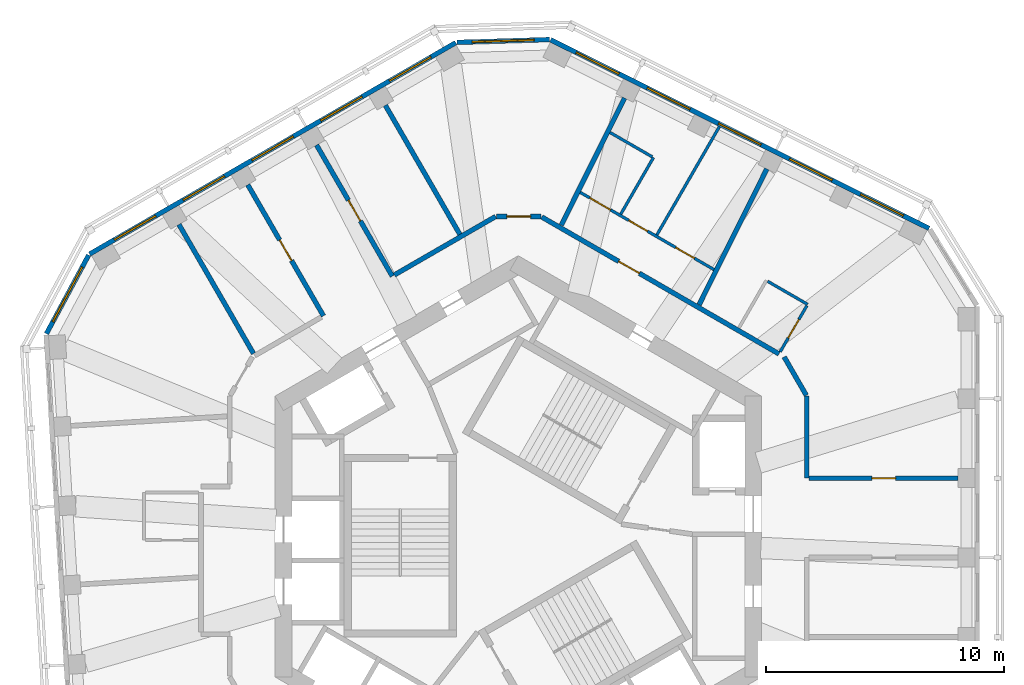
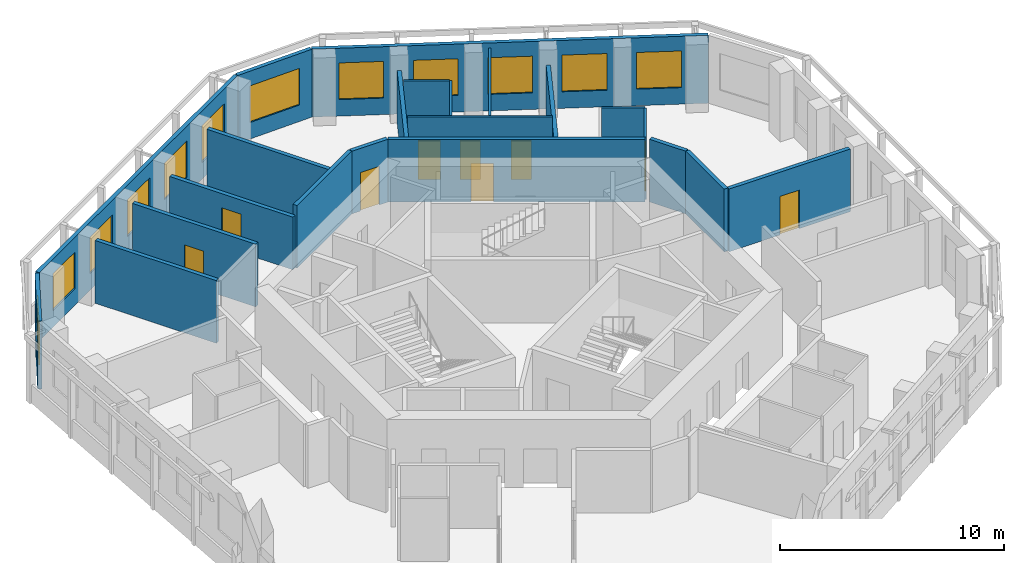
# One storey, part 7 of 11: 22 walls, 12 windows, 9 doors, 21 openings.
"""IFC4 building model written with IfcOpenShell, lengths in metres."""

from ifc_helpers import new_model, si_unit, direction, frame, frame_2d, origin, place, context, subcontext, project, spatial, rectangle, extrude, material, layer, layer_set, type_object, element, fill, save


model = new_model("IFC4")

# Units and contexts
model_context = context("Model", 3, precision=1e-05, world=origin(), true_north=direction((0.0, 1.0)))
body_context = subcontext(model_context, "Body", "Model", "MODEL_VIEW")
ifc_project = project(units=[si_unit("LENGTHUNIT", "METRE"), si_unit("AREAUNIT", "SQUARE_METRE"), si_unit("VOLUMEUNIT", "CUBIC_METRE"), si_unit("PLANEANGLEUNIT", "RADIAN"), si_unit("MASSUNIT", "GRAM", prefix="KILO")], contexts=[model_context])

# Site, building, storey
site_placement = place(None, origin())
site = spatial("IfcSite", under=ifc_project, at=site_placement, CompositionType="ELEMENT")
building_placement = place(site_placement, origin())
building = spatial("IfcBuilding", under=site, at=building_placement, Name="Vanh Sen Convention Tower", CompositionType="ELEMENT")
storey_placement = place(building_placement, frame((0.0, 0.0, 289.39990234375)))
storey = spatial("IfcBuildingStorey", under=building, at=storey_placement, Name="L71", CompositionType="ELEMENT", Elevation=289.39990234375)

# Walls
ifc_material_1 = material(Name="Moisture-resistant gypsum board on steel studs", Category="steel")
ifc_layer_1 = layer(ifc_material_1, 0.1201171875)
ifc_layer_set_1 = layer_set([ifc_layer_1], Name="Moisture-resistant gypsum board on steel studs")
wall_type_1 = type_object("IfcWallType", Name="Bathroom partition 120", PredefinedType="PARTITIONING", material=ifc_layer_set_1)
wall_1_placement = place(storey_placement, frame((4.298828125, 13.522216796875, 0.0), z_axis=(0.0, 0.0, 1.0), x_axis=(0.499982138324, 0.866035715982, 0.0)))
element("IfcWall", 1, at=wall_1_placement, inside=storey, type_object=wall_type_1, Name="Bathroom partition 120", PredefinedType="PARTITIONING", context=body_context, shape_type="SweptSolid", body=[
    extrude(rectangle(XDim=2.73974609375, YDim=0.1201171875, at=frame_2d((1.369873046875, 0.0))), origin(), (0.0, 0.0, 1.0), 3.420166015625),
])
wall_2_placement = place(storey_placement, frame((5.61669921875, 15.925048828125, 0.0), z_axis=(0.0, 0.0, 1.0), x_axis=(-0.866010195725, 0.500026340207, 0.0)))
element("IfcWall", 2, at=wall_2_placement, inside=storey, type_object=wall_type_1, Name="Bathroom partition 120", PredefinedType="PARTITIONING", context=body_context, shape_type="SweptSolid", body=[
    extrude(rectangle(XDim=2.0400390625, YDim=0.1201171875, at=frame_2d((1.02001953125, 0.0))), origin(), (0.0, 0.0, 1.0), 3.420166015625),
])

# Wall, openings, doors
wall_3_placement = place(storey_placement, frame((8.20654296875, 11.19677734375, 0.0), z_axis=(0.0, 0.0, 1.0), x_axis=(-0.866030514021, 0.499991148707, 0.0)))
wall_3 = element("IfcWall", 3, at=wall_3_placement, inside=storey, type_object=wall_type_1, Name="Bathroom partition 120", PredefinedType="PARTITIONING", context=body_context, shape_type="SweptSolid", body=[
    extrude(rectangle(XDim=6.4755859375, YDim=0.1201171875, at=frame_2d((3.23779296875, 0.0))), origin(), (0.0, 0.0, 1.0), 3.420166015625),
])
opening_1_placement = place(wall_3_placement, frame((5.01123046875, 0.0, 0.0)))
opening_1 = element("IfcOpeningElement", 4, at=opening_1_placement, cuts=wall_3, Name="Opening D70104", PredefinedType="OPENING", context=body_context, shape_type="SweptSolid", body=[
    extrude(rectangle(XDim=1.0, YDim=2.10009765625, at=frame_2d((0.5, 1.050048828125))), frame((0.0, 0.070068359375, 0.0), z_axis=(0.0, -1.0, 0.0), x_axis=(1.0, 0.0, 0.0)), (0.0, 0.0, 1.0), 0.14013671875),
])
opening_2_placement = place(wall_3_placement, frame((0.949951171875, 0.0, 0.0)))
opening_2 = element("IfcOpeningElement", 5, at=opening_2_placement, cuts=wall_3, Name="Opening D70105", PredefinedType="OPENING", context=body_context, shape_type="SweptSolid", body=[
    extrude(rectangle(XDim=0.89990234375, YDim=2.10009765625, at=frame_2d((0.449951171875, 1.050048828125))), frame((0.0, 0.070068359375, 0.0), z_axis=(0.0, -1.0, 0.0), x_axis=(1.0, 0.0, 0.0)), (0.0, 0.0, 1.0), 0.14013671875),
])
opening_3_placement = place(wall_3_placement, frame((3.223388671875, 0.0, 0.0)))
opening_3 = element("IfcOpeningElement", 6, at=opening_3_placement, cuts=wall_3, Name="Opening D70106", PredefinedType="OPENING", context=body_context, shape_type="SweptSolid", body=[
    extrude(rectangle(XDim=0.89990234375, YDim=2.10009765625, at=frame_2d((0.449951171875, 1.050048828125))), frame((0.0, 0.070068359375, 0.0), z_axis=(0.0, -1.0, 0.0), x_axis=(1.0, 0.0, 0.0)), (0.0, 0.0, 1.0), 0.14013671875),
])
ifc_material_2 = material(Name="Laminate door in steel frame", Category="steel")
door_type_1 = type_object("IfcDoorType", Name="Accessible WC door 1000", OperationType="SINGLE_SWING_LEFT", PredefinedType="DOOR", material=ifc_material_2)
door_1_placement = place(opening_1_placement, origin())
door_1 = element("IfcDoor", 7, at=door_1_placement, inside=storey, type_object=door_type_1, Name="Accessible WC door D70104", OperationType="SINGLE_SWING_LEFT", OverallHeight=2.10009765625, OverallWidth=1.0, PredefinedType="DOOR", context=body_context, shape_type="SweptSolid", body=[
    extrude(rectangle(XDim=1.0, YDim=2.10009765625, at=frame_2d((0.5, 1.050048828125))), frame((0.0, 0.02490234375, 0.0), z_axis=(0.0, -1.0, 0.0), x_axis=(1.0, 0.0, 0.0)), (0.0, 0.0, 1.0), 0.050048828125),
])
fill(opening_1, door_1)
door_type_2 = type_object("IfcDoorType", Name="Room internal door 900", OperationType="SINGLE_SWING_LEFT", PredefinedType="DOOR", material=ifc_material_2)
door_2_placement = place(opening_2_placement, origin())
door_2 = element("IfcDoor", 8, at=door_2_placement, inside=storey, type_object=door_type_2, Name="Internal room door D70105", OperationType="SINGLE_SWING_LEFT", OverallHeight=2.10009765625, OverallWidth=0.89990234375, PredefinedType="DOOR", context=body_context, shape_type="SweptSolid", body=[
    extrude(rectangle(XDim=0.89990234375, YDim=2.10009765625, at=frame_2d((0.449951171875, 1.050048828125))), frame((0.0, 0.02490234375, 0.0), z_axis=(0.0, -1.0, 0.0), x_axis=(1.0, 0.0, 0.0)), (0.0, 0.0, 1.0), 0.050048828125),
])
fill(opening_2, door_2)
door_3_placement = place(opening_3_placement, origin())
door_3 = element("IfcDoor", 9, at=door_3_placement, inside=storey, type_object=door_type_2, Name="Internal room door D70106", OperationType="SINGLE_SWING_LEFT", OverallHeight=2.10009765625, OverallWidth=0.89990234375, PredefinedType="DOOR", context=body_context, shape_type="SweptSolid", body=[
    extrude(rectangle(XDim=0.89990234375, YDim=2.10009765625, at=frame_2d((0.449951171875, 1.050048828125))), frame((0.0, 0.02490234375, 0.0), z_axis=(0.0, -1.0, 0.0), x_axis=(1.0, 0.0, 0.0)), (0.0, 0.0, 1.0), 0.050048828125),
])
fill(opening_3, door_3)

# Walls
wall_4_placement = place(storey_placement, frame((8.434814453125, 17.192138671875, 0.0), z_axis=(0.0, 0.0, 1.0), x_axis=(-0.499982949935, -0.86603524742, 0.0)))
element("IfcWall", 10, at=wall_4_placement, inside=storey, type_object=wall_type_1, Name="Bathroom partition 120", PredefinedType="PARTITIONING", context=body_context, shape_type="SweptSolid", body=[
    extrude(rectangle(XDim=5.246337890625, YDim=0.1201171875, at=frame_2d((2.623046875, 0.0))), origin(), (0.0, 0.0, 1.0), 3.420166015625),
])
wall_5_placement = place(storey_placement, frame((10.453369140625, 10.7080078125, 0.0), z_axis=(0.0, 0.0, 1.0), x_axis=(0.865988597889, -0.500063744262, 0.0)))
element("IfcWall", 11, at=wall_5_placement, inside=storey, type_object=wall_type_1, Name="Bathroom partition 120", PredefinedType="PARTITIONING", context=body_context, shape_type="SweptSolid", body=[
    extrude(rectangle(XDim=1.940185546875, YDim=0.1201171875, at=frame_2d((0.97021484375, 0.0))), origin(), (0.0, 0.0, 1.0), 3.420166015625),
])

# Wall, opening, door
wall_6_placement = place(storey_placement, frame((12.103515625, 9.685791015625, 0.0), z_axis=(0.0, 0.0, 1.0), x_axis=(-0.500077830873, -0.865980463445, 0.0)))
wall_6 = element("IfcWall", 12, at=wall_6_placement, inside=storey, type_object=wall_type_1, Name="Bathroom partition 120", PredefinedType="PARTITIONING", context=body_context, shape_type="SweptSolid", body=[
    extrude(rectangle(XDim=2.239990234375, YDim=0.1201171875, at=frame_2d((1.1201171875, 0.0))), origin(), (0.0, 0.0, 1.0), 3.420166015625),
])
opening_4_placement = place(wall_6_placement, frame((0.669921875, 0.0, 0.0)))
opening_4 = element("IfcOpeningElement", 13, at=opening_4_placement, cuts=wall_6, Name="Opening D70102", PredefinedType="OPENING", context=body_context, shape_type="SweptSolid", body=[
    extrude(rectangle(XDim=0.89990234375, YDim=2.10009765625, at=frame_2d((0.449951171875, 1.050048828125))), frame((0.0, 0.070068359375, 0.0), z_axis=(0.0, -1.0, 0.0), x_axis=(1.0, 0.0, 0.0)), (0.0, 0.0, 1.0), 0.14013671875),
])
door_4_placement = place(opening_4_placement, origin())
door_4 = element("IfcDoor", 14, at=door_4_placement, inside=storey, type_object=door_type_2, Name="Internal room door D70102", OperationType="SINGLE_SWING_LEFT", OverallHeight=2.10009765625, OverallWidth=0.89990234375, PredefinedType="DOOR", context=body_context, shape_type="SweptSolid", body=[
    extrude(rectangle(XDim=0.89990234375, YDim=2.10009765625, at=frame_2d((0.449951171875, 1.050048828125))), frame((0.0, 0.02490234375, 0.0), z_axis=(0.0, -1.0, 0.0), x_axis=(1.0, 0.0, 0.0)), (0.0, 0.0, 1.0), 0.050048828125),
])
fill(opening_4, door_4)

ifc_material_3 = material(Name="Gypsum board on steel studs with mineral wool", Category="steel")
ifc_layer_2 = layer(ifc_material_3, 0.199951171875)
ifc_layer_set_2 = layer_set([ifc_layer_2], Name="Gypsum board on steel studs with mineral wool")
wall_type_2 = type_object("IfcWallType", Name="Corridor partition wall 200", PredefinedType="PARTITIONING", material=ifc_layer_set_2)
wall_7_placement = place(storey_placement, frame((-11.34521484375, 14.754150390625, 0.0), z_axis=(0.0, 0.0, 1.0), x_axis=(0.500005339912, -0.866022320763, 0.0)))
wall_7 = element("IfcWall", 15, at=wall_7_placement, inside=storey, type_object=wall_type_2, Name="Corridor partition wall 200", PredefinedType="PARTITIONING", context=body_context, shape_type="SweptSolid", body=[
    extrude(rectangle(XDim=6.35009765625, YDim=0.199951171875, at=frame_2d((3.175048828125, 0.0))), origin(), (0.0, 0.0, 1.0), 3.420166015625),
])
opening_5_placement = place(wall_7_placement, frame((2.675048828125, 0.0, 0.0)))
opening_5 = element("IfcOpeningElement", 16, at=opening_5_placement, cuts=wall_7, Name="Opening D70109", PredefinedType="OPENING", context=body_context, shape_type="SweptSolid", body=[
    extrude(rectangle(XDim=1.0, YDim=2.10009765625, at=frame_2d((0.5, 1.050048828125))), frame((0.0, 0.10986328125, 0.0), z_axis=(0.0, -1.0, 0.0), x_axis=(1.0, 0.0, 0.0)), (0.0, 0.0, 1.0), 0.219970703125),
])
ifc_material_4 = material(Name="Glazed fire door in steel frame", Category="steel")
door_type_3 = type_object("IfcDoorType", Name="Tenant entrance door 1000", OperationType="SINGLE_SWING_LEFT", PredefinedType="DOOR", material=ifc_material_4)
door_5_placement = place(opening_5_placement, origin())
door_5 = element("IfcDoor", 17, at=door_5_placement, inside=storey, type_object=door_type_3, Name="Tenant suite entrance door D70109", OperationType="SINGLE_SWING_LEFT", OverallHeight=2.10009765625, OverallWidth=1.0, PredefinedType="DOOR", context=body_context, shape_type="SweptSolid", body=[
    extrude(rectangle(XDim=1.0, YDim=2.10009765625, at=frame_2d((0.5, 1.050048828125))), frame((0.0, 0.02490234375, 0.0), z_axis=(0.0, -1.0, 0.0), x_axis=(1.0, 0.0, 0.0)), (0.0, 0.0, 1.0), 0.050048828125),
])
fill(opening_5, door_5)

wall_8_placement = place(storey_placement, frame((-8.4599609375, 16.419921875, 0.0), z_axis=(0.0, 0.0, 1.0), x_axis=(0.500005339912, -0.866022320763, 0.0)))
wall_8 = element("IfcWall", 18, at=wall_8_placement, inside=storey, type_object=wall_type_2, Name="Corridor partition wall 200", PredefinedType="PARTITIONING", context=body_context, shape_type="SweptSolid", body=[
    extrude(rectangle(XDim=6.35009765625, YDim=0.199951171875, at=frame_2d((3.175048828125, 0.0))), origin(), (0.0, 0.0, 1.0), 2.8701171875),
])
opening_6_placement = place(wall_8_placement, frame((2.675048828125, 0.0, 0.0)))
opening_6 = element("IfcOpeningElement", 19, at=opening_6_placement, cuts=wall_8, Name="Opening D70108", PredefinedType="OPENING", context=body_context, shape_type="SweptSolid", body=[
    extrude(rectangle(XDim=1.0, YDim=2.10009765625, at=frame_2d((0.5, 1.050048828125))), frame((0.0, 0.10986328125, 0.0), z_axis=(0.0, -1.0, 0.0), x_axis=(1.0, 0.0, 0.0)), (0.0, 0.0, 1.0), 0.219970703125),
])
door_6_placement = place(opening_6_placement, origin())
door_6 = element("IfcDoor", 20, at=door_6_placement, inside=storey, type_object=door_type_3, Name="Tenant suite entrance door D70108", OperationType="SINGLE_SWING_LEFT", OverallHeight=2.10009765625, OverallWidth=1.0, PredefinedType="DOOR", context=body_context, shape_type="SweptSolid", body=[
    extrude(rectangle(XDim=1.0, YDim=2.10009765625, at=frame_2d((0.5, 1.050048828125))), frame((0.0, 0.02490234375, 0.0), z_axis=(0.0, -1.0, 0.0), x_axis=(1.0, 0.0, 0.0)), (0.0, 0.0, 1.0), 0.050048828125),
])
fill(opening_6, door_6)

# Wall
wall_9_placement = place(storey_placement, frame((-0.949951171875, 13.42333984375, 0.0), z_axis=(0.0, 0.0, 1.0), x_axis=(-0.86603557629, -0.499982380289, 0.0)))
element("IfcWall", 21, at=wall_9_placement, inside=storey, type_object=wall_type_2, Name="Corridor partition wall 200", PredefinedType="PARTITIONING", context=body_context, shape_type="SweptSolid", body=[
    extrude(rectangle(XDim=4.905517578125, YDim=0.199951171875, at=frame_2d((2.45263671875, 0.0))), origin(), (0.0, 0.0, 1.0), 3.420166015625),
])

# Wall, opening, door
wall_10_placement = place(storey_placement, frame((0.949951171875, 13.42333984375, 0.0), z_axis=(0.0, 0.0, 1.0), x_axis=(-1.0, 0.0, 0.0)))
wall_10 = element("IfcWall", 22, at=wall_10_placement, inside=storey, type_object=wall_type_2, Name="Corridor partition wall 200", PredefinedType="PARTITIONING", context=body_context, shape_type="SweptSolid", body=[
    extrude(rectangle(XDim=1.85986328125, YDim=0.199951171875, at=frame_2d((0.929931640625, 0.0))), origin(), (0.0, 0.0, 1.0), 3.420166015625),
])
opening_7_placement = place(wall_10_placement, frame((0.429931640625, 0.0, 0.0)))
opening_7 = element("IfcOpeningElement", 23, at=opening_7_placement, cuts=wall_10, Name="Opening D70107", PredefinedType="OPENING", context=body_context, shape_type="SweptSolid", body=[
    extrude(rectangle(XDim=1.0, YDim=2.10009765625, at=frame_2d((0.5, 1.050048828125))), frame((0.0, 0.10986328125, 0.0), z_axis=(0.0, -1.0, 0.0), x_axis=(1.0, 0.0, 0.0)), (0.0, 0.0, 1.0), 0.219970703125),
])
door_7_placement = place(opening_7_placement, origin())
door_7 = element("IfcDoor", 24, at=door_7_placement, inside=storey, type_object=door_type_3, Name="Tenant suite entrance door D70107", OperationType="SINGLE_SWING_LEFT", OverallHeight=2.10009765625, OverallWidth=1.0, PredefinedType="DOOR", context=body_context, shape_type="SweptSolid", body=[
    extrude(rectangle(XDim=1.0, YDim=2.10009765625, at=frame_2d((0.5, 1.050048828125))), frame((0.0, 0.02490234375, 0.0), z_axis=(0.0, -1.0, 0.0), x_axis=(1.0, 0.0, 0.0)), (0.0, 0.0, 1.0), 0.050048828125),
])
fill(opening_7, door_7)

wall_11_placement = place(storey_placement, frame((10.93359375, 7.659423828125, 0.0), z_axis=(0.0, 0.0, 1.0), x_axis=(-0.866030932647, 0.499990423607, 0.0)))
wall_11 = element("IfcWall", 25, at=wall_11_placement, inside=storey, type_object=wall_type_2, Name="Corridor partition wall 200", PredefinedType="PARTITIONING", context=body_context, shape_type="SweptSolid", body=[
    extrude(rectangle(XDim=11.488037109375, YDim=0.199951171875, at=frame_2d((5.744140625, 0.0))), origin(), (0.0, 0.0, 1.0), 3.420166015625),
])
opening_8_placement = place(wall_11_placement, frame((6.76416015625, 0.0, 0.0)))
opening_8 = element("IfcOpeningElement", 26, at=opening_8_placement, cuts=wall_11, Name="Opening D70103", PredefinedType="OPENING", context=body_context, shape_type="SweptSolid", body=[
    extrude(rectangle(XDim=1.0, YDim=2.10009765625, at=frame_2d((0.5, 1.050048828125))), frame((0.0, 0.10986328125, 0.0), z_axis=(0.0, -1.0, 0.0), x_axis=(1.0, 0.0, 0.0)), (0.0, 0.0, 1.0), 0.219970703125),
])
ifc_material_5 = material(Name="Timber fire door in steel frame", Category="steel")
door_type_4 = type_object("IfcDoorType", Name="Floor room door 1000", OperationType="SINGLE_SWING_LEFT", PredefinedType="DOOR", material=ifc_material_5)
door_8_placement = place(opening_8_placement, origin())
door_8 = element("IfcDoor", 27, at=door_8_placement, inside=storey, type_object=door_type_4, Name="Meeting and amenity room door D70103", OperationType="SINGLE_SWING_LEFT", OverallHeight=2.10009765625, OverallWidth=1.0, PredefinedType="DOOR", context=body_context, shape_type="SweptSolid", body=[
    extrude(rectangle(XDim=1.0, YDim=2.10009765625, at=frame_2d((0.5, 1.050048828125))), frame((0.0, 0.02490234375, 0.0), z_axis=(0.0, -1.0, 0.0), x_axis=(1.0, 0.0, 0.0)), (0.0, 0.0, 1.0), 0.050048828125),
])
fill(opening_8, door_8)

# Walls
wall_12_placement = place(storey_placement, frame((12.080078125, 5.923583984375, 0.0), z_axis=(0.0, 0.0, 1.0), x_axis=(-0.500063286585, 0.865988862174, 0.0)))
element("IfcWall", 28, at=wall_12_placement, inside=storey, type_object=wall_type_2, Name="Corridor partition wall 200", PredefinedType="PARTITIONING", context=body_context, shape_type="SweptSolid", body=[
    extrude(rectangle(XDim=1.860107421875, YDim=0.199951171875, at=frame_2d((0.93017578125, 0.0))), origin(), (0.0, 0.0, 1.0), 3.420166015625),
])
wall_13_placement = place(storey_placement, frame((12.10009765625, 2.4482421875, 0.0), z_axis=(0.0, 0.0, 1.0), x_axis=(0.0, 1.0, 0.0)))
element("IfcWall", 29, at=wall_13_placement, inside=storey, type_object=wall_type_2, Name="Corridor partition wall 200", PredefinedType="PARTITIONING", context=body_context, shape_type="SweptSolid", body=[
    extrude(rectangle(XDim=3.440673828125, YDim=0.199951171875, at=frame_2d((1.72021484375, 0.0))), origin(), (0.0, 0.0, 1.0), 3.420166015625),
])

# Wall, opening, door
wall_14_placement = place(storey_placement, frame((18.449951171875, 2.4482421875, 0.0), z_axis=(0.0, 0.0, 1.0), x_axis=(-1.0, 0.0, 0.0)))
wall_14 = element("IfcWall", 30, at=wall_14_placement, inside=storey, type_object=wall_type_2, Name="Corridor partition wall 200", PredefinedType="PARTITIONING", context=body_context, shape_type="SweptSolid", body=[
    extrude(rectangle(XDim=6.25, YDim=0.199951171875, at=frame_2d((3.125, 0.0))), origin(), (0.0, 0.0, 1.0), 3.420166015625),
])
opening_9_placement = place(wall_14_placement, frame((2.625, 0.0, 0.0)))
opening_9 = element("IfcOpeningElement", 31, at=opening_9_placement, cuts=wall_14, Name="Opening D70101", PredefinedType="OPENING", context=body_context, shape_type="SweptSolid", body=[
    extrude(rectangle(XDim=1.0, YDim=2.10009765625, at=frame_2d((0.5, 1.050048828125))), frame((0.0, 0.10986328125, 0.0), z_axis=(0.0, -1.0, 0.0), x_axis=(1.0, 0.0, 0.0)), (0.0, 0.0, 1.0), 0.219970703125),
])
door_9_placement = place(opening_9_placement, origin())
door_9 = element("IfcDoor", 32, at=door_9_placement, inside=storey, type_object=door_type_3, Name="Tenant suite entrance door D70101", OperationType="SINGLE_SWING_LEFT", OverallHeight=2.10009765625, OverallWidth=1.0, PredefinedType="DOOR", context=body_context, shape_type="SweptSolid", body=[
    extrude(rectangle(XDim=1.0, YDim=2.10009765625, at=frame_2d((0.5, 1.050048828125))), frame((0.0, 0.02490234375, 0.0), z_axis=(0.0, -1.0, 0.0), x_axis=(1.0, 0.0, 0.0)), (0.0, 0.0, 1.0), 0.050048828125),
])
fill(opening_9, door_9)

# Wall, openings, windows
ifc_material_6 = material(Name="Insulated lightweight infill wall")
ifc_layer_3 = layer(ifc_material_6, 0.199951171875)
ifc_layer_set_3 = layer_set([ifc_layer_3], Name="Insulated lightweight infill wall")
wall_type_3 = type_object("IfcWallType", Name="External wall 200", PredefinedType="STANDARD", material=ifc_layer_set_3)
wall_15_placement = place(storey_placement, frame((17.222900390625, 12.9228515625, 0.0), z_axis=(0.0, 0.0, 1.0), x_axis=(-0.894930561148, 0.44620543556, 0.0)))
wall_15 = element("IfcWall", 33, at=wall_15_placement, inside=storey, type_object=wall_type_3, Name="External wall NE L71", PredefinedType="STANDARD", context=body_context, shape_type="SweptSolid", body=[
    extrude(rectangle(XDim=17.7314453125, YDim=0.199951171875, at=frame_2d((8.86572265625, 0.0))), origin(), (0.0, 0.0, 1.0), 3.7001953125),
])
opening_10_placement = place(wall_15_placement, frame((1.20166015625, 0.0, 0.89990234375)))
opening_10 = element("IfcOpeningElement", 34, at=opening_10_placement, cuts=wall_15, Name="Opening WO5-NE1", PredefinedType="OPENING", context=body_context, shape_type="SweptSolid", body=[
    extrude(rectangle(XDim=2.0, YDim=2.0, at=frame_2d((1.0, 1.0))), frame((0.0, 0.10986328125, 0.0), z_axis=(0.0, -1.0, 0.0), x_axis=(1.0, 0.0, 0.0)), (0.0, 0.0, 1.0), 0.219970703125),
])
opening_11_placement = place(wall_15_placement, frame((4.533203125, 0.0, 0.89990234375)))
opening_11 = element("IfcOpeningElement", 35, at=opening_11_placement, cuts=wall_15, Name="Opening WO5-NE2", PredefinedType="OPENING", context=body_context, shape_type="SweptSolid", body=[
    extrude(rectangle(XDim=2.0, YDim=2.0, at=frame_2d((1.0, 1.0))), frame((0.0, 0.10986328125, 0.0), z_axis=(0.0, -1.0, 0.0), x_axis=(1.0, 0.0, 0.0)), (0.0, 0.0, 1.0), 0.219970703125),
])
opening_12_placement = place(wall_15_placement, frame((7.864990234375, 0.0, 0.89990234375)))
opening_12 = element("IfcOpeningElement", 36, at=opening_12_placement, cuts=wall_15, Name="Opening WO5-NE3", PredefinedType="OPENING", context=body_context, shape_type="SweptSolid", body=[
    extrude(rectangle(XDim=2.0, YDim=2.0, at=frame_2d((1.0, 1.0))), frame((0.0, 0.10986328125, 0.0), z_axis=(0.0, -1.0, 0.0), x_axis=(1.0, 0.0, 0.0)), (0.0, 0.0, 1.0), 0.219970703125),
])
opening_13_placement = place(wall_15_placement, frame((11.196533203125, 0.0, 0.89990234375)))
opening_13 = element("IfcOpeningElement", 37, at=opening_13_placement, cuts=wall_15, Name="Opening WO5-NE4", PredefinedType="OPENING", context=body_context, shape_type="SweptSolid", body=[
    extrude(rectangle(XDim=2.0, YDim=2.0, at=frame_2d((1.0, 1.0))), frame((0.0, 0.10986328125, 0.0), z_axis=(0.0, -1.0, 0.0), x_axis=(1.0, 0.0, 0.0)), (0.0, 0.0, 1.0), 0.219970703125),
])
opening_14_placement = place(wall_15_placement, frame((14.5283203125, 0.0, 0.89990234375)))
opening_14 = element("IfcOpeningElement", 38, at=opening_14_placement, cuts=wall_15, Name="Opening WO5-NE5", PredefinedType="OPENING", context=body_context, shape_type="SweptSolid", body=[
    extrude(rectangle(XDim=2.0, YDim=2.0, at=frame_2d((1.0, 1.0))), frame((0.0, 0.10986328125, 0.0), z_axis=(0.0, -1.0, 0.0), x_axis=(1.0, 0.0, 0.0)), (0.0, 0.0, 1.0), 0.219970703125),
])
ifc_material_7 = material(Name="Aluminium frame with clear low-emissivity glass", Category="aluminium")
window_type_1 = type_object("IfcWindowType", Name="Office window 2000 x 2000", PartitioningType="SINGLE_PANEL", PredefinedType="WINDOW", material=ifc_material_7)
window_1_placement = place(opening_10_placement, origin())
window_1 = element("IfcWindow", 39, at=window_1_placement, inside=storey, type_object=window_type_1, Name="Window WO5-NE1", OverallHeight=2.0, OverallWidth=2.0, PartitioningType="SINGLE_PANEL", PredefinedType="WINDOW", context=body_context, shape_type="SweptSolid", body=[
    extrude(rectangle(XDim=2.0, YDim=2.0, at=frame_2d((1.0, 1.0))), frame((0.0, 0.030029296875, 0.0), z_axis=(0.0, -1.0, 0.0), x_axis=(1.0, 0.0, 0.0)), (0.0, 0.0, 1.0), 0.06005859375),
])
fill(opening_10, window_1)
window_2_placement = place(opening_11_placement, origin())
window_2 = element("IfcWindow", 40, at=window_2_placement, inside=storey, type_object=window_type_1, Name="Window WO5-NE2", OverallHeight=2.0, OverallWidth=2.0, PartitioningType="SINGLE_PANEL", PredefinedType="WINDOW", context=body_context, shape_type="SweptSolid", body=[
    extrude(rectangle(XDim=2.0, YDim=2.0, at=frame_2d((1.0, 1.0))), frame((0.0, 0.030029296875, 0.0), z_axis=(0.0, -1.0, 0.0), x_axis=(1.0, 0.0, 0.0)), (0.0, 0.0, 1.0), 0.06005859375),
])
fill(opening_11, window_2)
window_3_placement = place(opening_12_placement, origin())
window_3 = element("IfcWindow", 41, at=window_3_placement, inside=storey, type_object=window_type_1, Name="Window WO5-NE3", OverallHeight=2.0, OverallWidth=2.0, PartitioningType="SINGLE_PANEL", PredefinedType="WINDOW", context=body_context, shape_type="SweptSolid", body=[
    extrude(rectangle(XDim=2.0, YDim=2.0, at=frame_2d((1.0, 1.0))), frame((0.0, 0.030029296875, 0.0), z_axis=(0.0, -1.0, 0.0), x_axis=(1.0, 0.0, 0.0)), (0.0, 0.0, 1.0), 0.06005859375),
])
fill(opening_12, window_3)
window_4_placement = place(opening_13_placement, origin())
window_4 = element("IfcWindow", 42, at=window_4_placement, inside=storey, type_object=window_type_1, Name="Window WO5-NE4", OverallHeight=2.0, OverallWidth=2.0, PartitioningType="SINGLE_PANEL", PredefinedType="WINDOW", context=body_context, shape_type="SweptSolid", body=[
    extrude(rectangle(XDim=2.0, YDim=2.0, at=frame_2d((1.0, 1.0))), frame((0.0, 0.030029296875, 0.0), z_axis=(0.0, -1.0, 0.0), x_axis=(1.0, 0.0, 0.0)), (0.0, 0.0, 1.0), 0.06005859375),
])
fill(opening_13, window_4)
window_5_placement = place(opening_14_placement, origin())
window_5 = element("IfcWindow", 43, at=window_5_placement, inside=storey, type_object=window_type_1, Name="Window WO5-NE5", OverallHeight=2.0, OverallWidth=2.0, PartitioningType="SINGLE_PANEL", PredefinedType="WINDOW", context=body_context, shape_type="SweptSolid", body=[
    extrude(rectangle(XDim=2.0, YDim=2.0, at=frame_2d((1.0, 1.0))), frame((0.0, 0.030029296875, 0.0), z_axis=(0.0, -1.0, 0.0), x_axis=(1.0, 0.0, 0.0)), (0.0, 0.0, 1.0), 0.06005859375),
])
fill(opening_14, window_5)

# Wall, opening, window
wall_16_placement = place(storey_placement, frame((1.306884765625, 20.84521484375, 0.0), z_axis=(0.0, 0.0, 1.0), x_axis=(-0.999533654813, -0.030536419175, 0.0)))
wall_16 = element("IfcWall", 44, at=wall_16_placement, inside=storey, type_object=wall_type_3, Name="External wall CH2 L71", PredefinedType="STANDARD", context=body_context, shape_type="SweptSolid", body=[
    extrude(rectangle(XDim=3.885498046875, YDim=0.199951171875, at=frame_2d((1.94287109375, 0.0))), origin(), (0.0, 0.0, 1.0), 3.7001953125),
])
opening_15_placement = place(wall_16_placement, frame((0.642822265625, 0.0, 0.89990234375)))
opening_15 = element("IfcOpeningElement", 45, at=opening_15_placement, cuts=wall_16, Name="Opening WO6-CH21", PredefinedType="OPENING", context=body_context, shape_type="SweptSolid", body=[
    extrude(rectangle(XDim=2.60009765625, YDim=2.0, at=frame_2d((1.300048828125, 1.0))), frame((0.0, 0.10986328125, 0.0), z_axis=(0.0, -1.0, 0.0), x_axis=(1.0, 0.0, 0.0)), (0.0, 0.0, 1.0), 0.219970703125),
])
window_type_2 = type_object("IfcWindowType", Name="Office window 2600 x 2000", PartitioningType="SINGLE_PANEL", PredefinedType="WINDOW", material=ifc_material_7)
window_6_placement = place(opening_15_placement, origin())
window_6 = element("IfcWindow", 46, at=window_6_placement, inside=storey, type_object=window_type_2, Name="Window WO6-CH21", OverallHeight=2.0, OverallWidth=2.60009765625, PartitioningType="SINGLE_PANEL", PredefinedType="WINDOW", context=body_context, shape_type="SweptSolid", body=[
    extrude(rectangle(XDim=2.60009765625, YDim=2.0, at=frame_2d((1.300048828125, 1.0))), frame((0.0, 0.030029296875, 0.0), z_axis=(0.0, -1.0, 0.0), x_axis=(1.0, 0.0, 0.0)), (0.0, 0.0, 1.0), 0.06005859375),
])
fill(opening_15, window_6)

# Wall, openings, windows
wall_17_placement = place(storey_placement, frame((-2.623779296875, 20.713134765625, 0.0), z_axis=(0.0, 0.0, 1.0), x_axis=(-0.866026460444, -0.499998169808, 0.0)))
wall_17 = element("IfcWall", 47, at=wall_17_placement, inside=storey, type_object=wall_type_3, Name="External wall NW L71", PredefinedType="STANDARD", context=body_context, shape_type="SweptSolid", body=[
    extrude(rectangle(XDim=17.7314453125, YDim=0.199951171875, at=frame_2d((8.86572265625, 0.0))), origin(), (0.0, 0.0, 1.0), 3.7001953125),
])
opening_16_placement = place(wall_17_placement, frame((1.203125, 0.0, 0.89990234375)))
opening_16 = element("IfcOpeningElement", 48, at=opening_16_placement, cuts=wall_17, Name="Opening WO5-NW1", PredefinedType="OPENING", context=body_context, shape_type="SweptSolid", body=[
    extrude(rectangle(XDim=2.0, YDim=2.0, at=frame_2d((1.0, 1.0))), frame((0.0, 0.10986328125, 0.0), z_axis=(0.0, -1.0, 0.0), x_axis=(1.0, 0.0, 0.0)), (0.0, 0.0, 1.0), 0.219970703125),
])
opening_17_placement = place(wall_17_placement, frame((4.534912109375, 0.0, 0.89990234375)))
opening_17 = element("IfcOpeningElement", 49, at=opening_17_placement, cuts=wall_17, Name="Opening WO5-NW2", PredefinedType="OPENING", context=body_context, shape_type="SweptSolid", body=[
    extrude(rectangle(XDim=2.0, YDim=2.0, at=frame_2d((1.0, 1.0))), frame((0.0, 0.10986328125, 0.0), z_axis=(0.0, -1.0, 0.0), x_axis=(1.0, 0.0, 0.0)), (0.0, 0.0, 1.0), 0.219970703125),
])
opening_18_placement = place(wall_17_placement, frame((7.86669921875, 0.0, 0.89990234375)))
opening_18 = element("IfcOpeningElement", 50, at=opening_18_placement, cuts=wall_17, Name="Opening WO5-NW3", PredefinedType="OPENING", context=body_context, shape_type="SweptSolid", body=[
    extrude(rectangle(XDim=2.0, YDim=2.0, at=frame_2d((1.0, 1.0))), frame((0.0, 0.10986328125, 0.0), z_axis=(0.0, -1.0, 0.0), x_axis=(1.0, 0.0, 0.0)), (0.0, 0.0, 1.0), 0.219970703125),
])
opening_19_placement = place(wall_17_placement, frame((11.1982421875, 0.0, 0.89990234375)))
opening_19 = element("IfcOpeningElement", 51, at=opening_19_placement, cuts=wall_17, Name="Opening WO5-NW4", PredefinedType="OPENING", context=body_context, shape_type="SweptSolid", body=[
    extrude(rectangle(XDim=2.0, YDim=2.0, at=frame_2d((1.0, 1.0))), frame((0.0, 0.10986328125, 0.0), z_axis=(0.0, -1.0, 0.0), x_axis=(1.0, 0.0, 0.0)), (0.0, 0.0, 1.0), 0.219970703125),
])
opening_20_placement = place(wall_17_placement, frame((14.52978515625, 0.0, 0.89990234375)))
opening_20 = element("IfcOpeningElement", 52, at=opening_20_placement, cuts=wall_17, Name="Opening WO5-NW5", PredefinedType="OPENING", context=body_context, shape_type="SweptSolid", body=[
    extrude(rectangle(XDim=2.0, YDim=2.0, at=frame_2d((1.0, 1.0))), frame((0.0, 0.10986328125, 0.0), z_axis=(0.0, -1.0, 0.0), x_axis=(1.0, 0.0, 0.0)), (0.0, 0.0, 1.0), 0.219970703125),
])
window_7_placement = place(opening_16_placement, origin())
window_7 = element("IfcWindow", 53, at=window_7_placement, inside=storey, type_object=window_type_1, Name="Window WO5-NW1", OverallHeight=2.0, OverallWidth=2.0, PartitioningType="SINGLE_PANEL", PredefinedType="WINDOW", context=body_context, shape_type="SweptSolid", body=[
    extrude(rectangle(XDim=2.0, YDim=2.0, at=frame_2d((1.0, 1.0))), frame((0.0, 0.030029296875, 0.0), z_axis=(0.0, -1.0, 0.0), x_axis=(1.0, 0.0, 0.0)), (0.0, 0.0, 1.0), 0.06005859375),
])
fill(opening_16, window_7)
window_8_placement = place(opening_17_placement, origin())
window_8 = element("IfcWindow", 54, at=window_8_placement, inside=storey, type_object=window_type_1, Name="Window WO5-NW2", OverallHeight=2.0, OverallWidth=2.0, PartitioningType="SINGLE_PANEL", PredefinedType="WINDOW", context=body_context, shape_type="SweptSolid", body=[
    extrude(rectangle(XDim=2.0, YDim=2.0, at=frame_2d((1.0, 1.0))), frame((0.0, 0.030029296875, 0.0), z_axis=(0.0, -1.0, 0.0), x_axis=(1.0, 0.0, 0.0)), (0.0, 0.0, 1.0), 0.06005859375),
])
fill(opening_17, window_8)
window_9_placement = place(opening_18_placement, origin())
window_9 = element("IfcWindow", 55, at=window_9_placement, inside=storey, type_object=window_type_1, Name="Window WO5-NW3", OverallHeight=2.0, OverallWidth=2.0, PartitioningType="SINGLE_PANEL", PredefinedType="WINDOW", context=body_context, shape_type="SweptSolid", body=[
    extrude(rectangle(XDim=2.0, YDim=2.0, at=frame_2d((1.0, 1.0))), frame((0.0, 0.030029296875, 0.0), z_axis=(0.0, -1.0, 0.0), x_axis=(1.0, 0.0, 0.0)), (0.0, 0.0, 1.0), 0.06005859375),
])
fill(opening_18, window_9)
window_10_placement = place(opening_19_placement, origin())
window_10 = element("IfcWindow", 56, at=window_10_placement, inside=storey, type_object=window_type_1, Name="Window WO5-NW4", OverallHeight=2.0, OverallWidth=2.0, PartitioningType="SINGLE_PANEL", PredefinedType="WINDOW", context=body_context, shape_type="SweptSolid", body=[
    extrude(rectangle(XDim=2.0, YDim=2.0, at=frame_2d((1.0, 1.0))), frame((0.0, 0.030029296875, 0.0), z_axis=(0.0, -1.0, 0.0), x_axis=(1.0, 0.0, 0.0)), (0.0, 0.0, 1.0), 0.06005859375),
])
fill(opening_19, window_10)
window_11_placement = place(opening_20_placement, origin())
window_11 = element("IfcWindow", 57, at=window_11_placement, inside=storey, type_object=window_type_1, Name="Window WO5-NW5", OverallHeight=2.0, OverallWidth=2.0, PartitioningType="SINGLE_PANEL", PredefinedType="WINDOW", context=body_context, shape_type="SweptSolid", body=[
    extrude(rectangle(XDim=2.0, YDim=2.0, at=frame_2d((1.0, 1.0))), frame((0.0, 0.030029296875, 0.0), z_axis=(0.0, -1.0, 0.0), x_axis=(1.0, 0.0, 0.0)), (0.0, 0.0, 1.0), 0.06005859375),
])
fill(opening_20, window_11)

# Wall, opening, window
wall_18_placement = place(storey_placement, frame((-18.017822265625, 11.80810546875, 0.0), z_axis=(0.0, 0.0, 1.0), x_axis=(-0.473318619185, -0.880891301315, 0.0)))
wall_18 = element("IfcWall", 58, at=wall_18_placement, inside=storey, type_object=wall_type_3, Name="External wall CH3 L71", PredefinedType="STANDARD", context=body_context, shape_type="SweptSolid", body=[
    extrude(rectangle(XDim=3.746826171875, YDim=0.199951171875, at=frame_2d((1.87353515625, 0.0))), origin(), (0.0, 0.0, 1.0), 3.7001953125),
])
opening_21_placement = place(wall_18_placement, frame((0.5732421875, 0.0, 0.89990234375)))
opening_21 = element("IfcOpeningElement", 59, at=opening_21_placement, cuts=wall_18, Name="Opening WO6-CH31", PredefinedType="OPENING", context=body_context, shape_type="SweptSolid", body=[
    extrude(rectangle(XDim=2.60009765625, YDim=2.0, at=frame_2d((1.300048828125, 1.0))), frame((0.0, 0.10986328125, 0.0), z_axis=(0.0, -1.0, 0.0), x_axis=(1.0, 0.0, 0.0)), (0.0, 0.0, 1.0), 0.219970703125),
])
window_12_placement = place(opening_21_placement, origin())
window_12 = element("IfcWindow", 60, at=window_12_placement, inside=storey, type_object=window_type_2, Name="Window WO6-CH31", OverallHeight=2.0, OverallWidth=2.60009765625, PartitioningType="SINGLE_PANEL", PredefinedType="WINDOW", context=body_context, shape_type="SweptSolid", body=[
    extrude(rectangle(XDim=2.60009765625, YDim=2.0, at=frame_2d((1.300048828125, 1.0))), frame((0.0, 0.030029296875, 0.0), z_axis=(0.0, -1.0, 0.0), x_axis=(1.0, 0.0, 0.0)), (0.0, 0.0, 1.0), 0.06005859375),
])
fill(opening_21, window_12)

# Walls
ifc_layer_4 = layer(ifc_material_3, 0.199951171875)
ifc_layer_set_4 = layer_set([ifc_layer_4], Name="Gypsum board on steel studs with mineral wool")
wall_type_4 = type_object("IfcWallType", Name="Tenant suite wall 200", PredefinedType="PARTITIONING", material=ifc_layer_set_4)
for number, where, z_axis, x_axis, name in (
    (61, (-14.23046875, 13.088134765625, 0.0), (0.0, 0.0, 1.0), (0.500004234368, -0.866022959057, 0.0), "Tenant suite wall 200"),
    (62, (-5.57470703125, 18.085693359375, 0.0), (0.0, 0.0, 1.0), (0.500004234368, -0.866022959057, 0.0), "Tenant suite wall 200"),
):
    element("IfcWall", number, at=place(storey_placement, frame(where, z_axis=z_axis, x_axis=x_axis)), inside=storey, type_object=wall_type_4, Name=name, PredefinedType="PARTITIONING", context=body_context, shape_type="SweptSolid", body=[
        extrude(rectangle(XDim=6.25, YDim=0.199951171875, at=frame_2d((3.125, 0.0))), origin(), (0.0, 0.0, 1.0), 3.420166015625),
    ])
wall_19_placement = place(storey_placement, frame((4.460205078125, 18.392333984375, 0.0), z_axis=(0.0, 0.0, 1.0), x_axis=(-0.446197360024, -0.894934587502, 0.0)))
element("IfcWall", 63, at=wall_19_placement, inside=storey, type_object=wall_type_4, Name="Tenant suite wall 200", PredefinedType="PARTITIONING", context=body_context, shape_type="SweptSolid", body=[
    extrude(rectangle(XDim=5.959716796875, YDim=0.199951171875, at=frame_2d((2.97998046875, 0.0))), origin(), (0.0, 0.0, 1.0), 2.8701171875),
])
wall_20_placement = place(storey_placement, frame((10.42333984375, 15.419189453125, 0.0), z_axis=(0.0, 0.0, 1.0), x_axis=(-0.446201045829, -0.89493274982, 0.0)))
element("IfcWall", 64, at=wall_20_placement, inside=storey, type_object=wall_type_4, Name="Tenant suite wall 200", PredefinedType="PARTITIONING", context=body_context, shape_type="SweptSolid", body=[
    extrude(rectangle(XDim=6.3671875, YDim=0.199951171875, at=frame_2d((3.18359375, 0.0))), origin(), (0.0, 0.0, 1.0), 2.8701171875),
])

save(model, "model.ifc")
